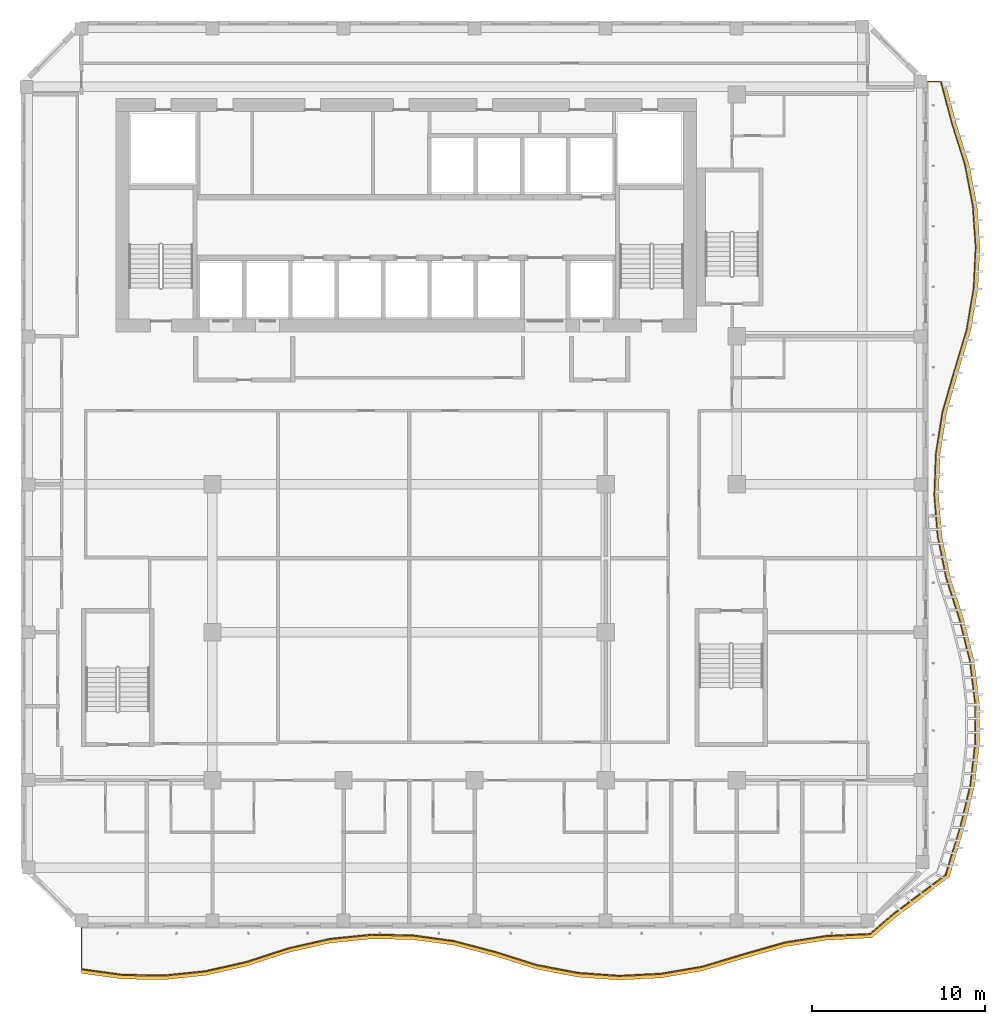
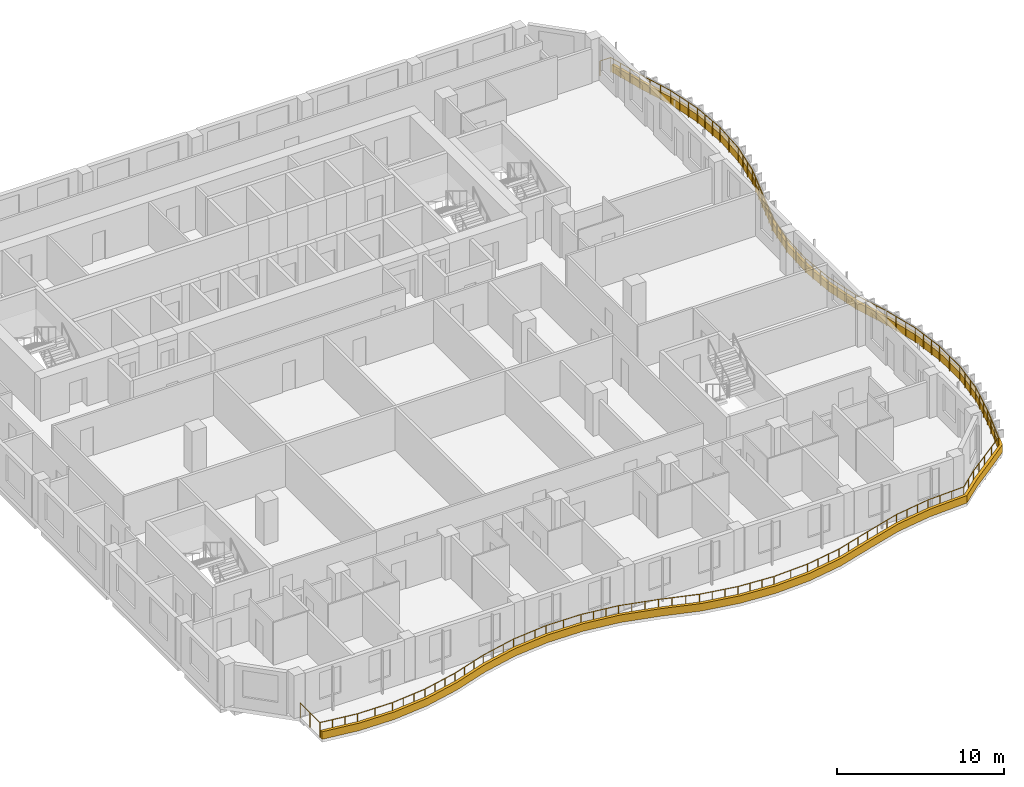
# One storey, part 16 of 21: 1 railing, 1 shading device.
"""IFC4 building model written with IfcOpenShell, lengths in metres."""

from ifc_helpers import new_model, si_unit, direction, frame, origin, origin_2d, place, context, subcontext, project, spatial, polyline, circle, outline, extrude, source, transform, mapped, material, layer, layer_set, type_object, element, save


model = new_model("IFC4")

# Units and contexts
model_context = context("Model", 3, precision=1e-05, world=origin(), true_north=direction((0.0, 1.0)))
body_context = subcontext(model_context, "Body", "Model", "MODEL_VIEW")
ifc_project = project(units=[si_unit("LENGTHUNIT", "METRE"), si_unit("AREAUNIT", "SQUARE_METRE"), si_unit("VOLUMEUNIT", "CUBIC_METRE"), si_unit("PLANEANGLEUNIT", "RADIAN"), si_unit("MASSUNIT", "GRAM", prefix="KILO")], contexts=[model_context])

# Site, building, storey
site_placement = place(None, origin())
site = spatial("IfcSite", under=ifc_project, at=site_placement, CompositionType="ELEMENT")
building_placement = place(site_placement, origin())
building = spatial("IfcBuilding", under=site, at=building_placement, Name="Kilnfold Tower and Market Hall", CompositionType="ELEMENT")
storey_placement = place(building_placement, frame((0.0, 0.0, 216.89990234375)))
storey = spatial("IfcBuildingStorey", under=building, at=storey_placement, Name="L53", CompositionType="ELEMENT", Elevation=216.89990234375)

# Railing
ifc_material_1 = material(Name="Stainless steel and laminated glass", Category="steel")
railing_type = type_object("IfcRailingType", Name="GUARD 1100", PredefinedType="GUARDRAIL", material=ifc_material_1)
railing_placement = place(storey_placement, frame((-17.75, -26.25, 0.0)))
element("IfcRailing", 1, at=railing_placement, inside=storey, type_object=railing_type, Name="Guard balcony L53", PredefinedType="GUARDRAIL", context=body_context, shape_type="SweptSolid", body=[
    extrude(circle(Radius=0.02490234375, at=origin_2d()), frame((0.0, 0.0, 1.0751953125), z_axis=(0.0, -1.0, 0.0), x_axis=(1.0, 0.0, 0.0)), (0.0, 0.0, 1.0), 2.3662109375),
    extrude(circle(Radius=0.02490234375, at=origin_2d()), frame((0.0, -2.3662109375, 1.0751953125), z_axis=(0.990851669737, -0.134955431825, 0.0), x_axis=(0.134955431825, 0.990851669737, 0.0)), (0.0, 0.0, 1.0), 2.4169921875),
    extrude(circle(Radius=0.02490234375, at=origin_2d()), frame((2.394775390625, -2.6923828125, 1.0751953125), z_axis=(0.999868650262, -0.016207474298, 0.0), x_axis=(0.016207474298, 0.999868650262, 0.0)), (0.0, 0.0, 1.0), 2.39501953125),
    extrude(circle(Radius=0.02490234375, at=origin_2d()), frame((4.78955078125, -2.731201171875, 1.0751953125), z_axis=(0.994687855772, 0.102937211828, 0.0), x_axis=(-0.102937211828, 0.994687855772, 0.0)), (0.0, 0.0, 1.0), 2.4072265625),
    extrude(circle(Radius=0.02490234375, at=origin_2d()), frame((7.18408203125, -2.4833984375, 1.0751953125), z_axis=(0.97511820574, 0.221685553961, 0.0), x_axis=(-0.221685553961, 0.97511820574, 0.0)), (0.0, 0.0, 1.0), 2.455810546875),
    extrude(circle(Radius=0.02490234375, at=origin_2d()), frame((9.578857421875, -1.93896484375, 1.0751953125), z_axis=(0.950660885118, 0.310231980147, 0.0), x_axis=(-0.310231980147, 0.950660885118, 0.0)), (0.0, 0.0, 1.0), 2.51904296875),
    extrude(circle(Radius=0.02490234375, at=origin_2d()), frame((11.9736328125, -1.157470703125, 1.0751953125), z_axis=(0.975246995053, 0.221118291059, 0.0), x_axis=(-0.221118291059, 0.975246995053, 0.0)), (0.0, 0.0, 1.0), 2.45556640625),
    extrude(circle(Radius=0.02490234375, at=origin_2d()), frame((14.368408203125, -0.614501953125, 1.0751953125), z_axis=(0.994761361098, 0.102224431847, 0.0), x_axis=(-0.102224431847, 0.994761361098, 0.0)), (0.0, 0.0, 1.0), 2.407470703125),
    extrude(circle(Radius=0.02490234375, at=origin_2d()), frame((16.76318359375, -0.368408203125, 1.0751953125), z_axis=(0.999860261141, -0.016717003041, 0.0), x_axis=(0.016717003041, 0.999860261141, 0.0)), (0.0, 0.0, 1.0), 2.39501953125),
    extrude(circle(Radius=0.02490234375, at=origin_2d()), frame((19.157958984375, -0.408447265625, 1.0751953125), z_axis=(0.990755022551, -0.135663131656, 0.0), x_axis=(0.135663131656, 0.990755022551, 0.0)), (0.0, 0.0, 1.0), 2.4169921875),
    extrude(circle(Radius=0.02490234375, at=origin_2d()), frame((21.552490234375, -0.736328125, 1.0751953125), z_axis=(0.967040051988, -0.254624307267, 0.0), x_axis=(0.254624307267, 0.967040051988, 0.0)), (0.0, 0.0, 1.0), 2.4765625),
    extrude(circle(Radius=0.02490234375, at=origin_2d()), frame((23.947509765625, -1.366943359375, 1.0751953125), z_axis=(0.953562091819, -0.301196509019, 0.0), x_axis=(0.301196509019, 0.953562091819, 0.0)), (0.0, 0.0, 1.0), 2.51123046875),
    extrude(circle(Radius=0.02490234375, at=origin_2d()), frame((26.342041015625, -2.123291015625, 1.0751953125), z_axis=(0.98210557725, -0.188331184709, 0.0), x_axis=(0.188331184709, 0.98210557725, 0.0)), (0.0, 0.0, 1.0), 2.4384765625),
    extrude(circle(Radius=0.02490234375, at=origin_2d()), frame((28.73681640625, -2.58251953125, 1.0751953125), z_axis=(0.997591657875, -0.06936053733, 0.0), x_axis=(0.06936053733, 0.997591657875, 0.0)), (0.0, 0.0, 1.0), 2.400634765625),
    extrude(circle(Radius=0.02490234375, at=origin_2d()), frame((31.131591796875, -2.7490234375, 1.0751953125), z_axis=(0.998769797863, 0.049587204767, 0.0), x_axis=(-0.049587204767, 0.998769797863, 0.0)), (0.0, 0.0, 1.0), 2.397705078125),
    extrude(circle(Radius=0.02490234375, at=origin_2d()), frame((33.5263671875, -2.630126953125, 1.0751953125), z_axis=(0.985698179357, 0.168520322845, 0.0), x_axis=(-0.168520322845, 0.985698179357, 0.0)), (0.0, 0.0, 1.0), 2.429443359375),
    extrude(circle(Radius=0.02490234375, at=origin_2d()), frame((35.921142578125, -2.220703125, 1.0751953125), z_axis=(0.957898824058, 0.287105978462, 0.0), x_axis=(-0.287105978462, 0.957898824058, 0.0)), (0.0, 0.0, 1.0), 2.5),
    extrude(circle(Radius=0.02490234375, at=origin_2d()), frame((38.31591796875, -1.5029296875, 1.0751953125), z_axis=(0.961608995727, 0.274423284976, 0.0), x_axis=(-0.274423284976, 0.961608995727, 0.0)), (0.0, 0.0, 1.0), 2.490234375),
    extrude(circle(Radius=0.02490234375, at=origin_2d()), frame((40.71044921875, -0.819580078125, 1.0751953125), z_axis=(0.987852622881, 0.155393678979, 0.0), x_axis=(-0.155393678979, 0.987852622881, 0.0)), (0.0, 0.0, 1.0), 2.42431640625),
    extrude(circle(Radius=0.02490234375, at=origin_2d()), frame((43.105224609375, -0.44287109375, 1.0751953125), z_axis=(0.998973699983, 0.045294003376, 0.0), x_axis=(-0.045294003376, 0.998973699983, 0.0)), (0.0, 0.0, 1.0), 2.533447265625),
    extrude(circle(Radius=0.02490234375, at=origin_2d()), frame((45.635986328125, -0.328125, 1.0751953125), z_axis=(0.757579649676, 0.652742732167, 0.0), x_axis=(-0.652742732167, 0.757579649676, 0.0)), (0.0, 0.0, 1.0), 1.790771484375),
    extrude(circle(Radius=0.02490234375, at=origin_2d()), frame((46.99267578125, 0.8408203125, 1.0751953125), z_axis=(0.802557595232, 0.596574644395, 0.0), x_axis=(-0.596574644395, 0.802557595232, 0.0)), (0.0, 0.0, 1.0), 1.667724609375),
    extrude(circle(Radius=0.02490234375, at=origin_2d()), frame((48.3310546875, 1.835693359375, 1.0751953125), z_axis=(0.802140782437, 0.597134963933, 0.0), x_axis=(-0.597134963933, 0.802140782437, 0.0)), (0.0, 0.0, 1.0), 2.0888671875),
    extrude(circle(Radius=0.02490234375, at=origin_2d()), frame((50.006591796875, 3.0830078125, 1.0751953125), z_axis=(0.29289551406, 0.956144454486, 0.0), x_axis=(-0.956144454486, 0.29289551406, 0.0)), (0.0, 0.0, 1.0), 2.940673828125),
    extrude(circle(Radius=0.02490234375, at=origin_2d()), frame((50.867919921875, 5.894775390625, 1.0751953125), z_axis=(0.233545410413, 0.972345895901, 0.0), x_axis=(-0.972345895901, 0.233545410413, 0.0)), (0.0, 0.0, 1.0), 2.462890625),
    extrude(circle(Radius=0.02490234375, at=origin_2d()), frame((51.443115234375, 8.28955078125, 1.0751953125), z_axis=(0.114654863149, 0.993405386716, 0.0), x_axis=(-0.993405386716, 0.114654863149, 0.0)), (0.0, 0.0, 1.0), 2.410400390625),
    extrude(circle(Radius=0.02490234375, at=origin_2d()), frame((51.719482421875, 10.68408203125, 1.0751953125), z_axis=(-0.004383687108, 0.999990391598, 0.0), x_axis=(-0.999990391598, -0.004383687108, 0.0)), (0.0, 0.0, 1.0), 2.394775390625),
    extrude(circle(Radius=0.02490234375, at=origin_2d()), frame((51.708984375, 13.078857421875, 1.0751953125), z_axis=(-0.123225331545, 0.992378716854, 0.0), x_axis=(-0.992378716854, -0.123225331545, 0.0)), (0.0, 0.0, 1.0), 2.4130859375),
    extrude(circle(Radius=0.02490234375, at=origin_2d()), frame((51.41162109375, 15.4736328125, 1.0751953125), z_axis=(-0.242139951351, 0.970241332844, 0.0), x_axis=(-0.970241332844, -0.242139951351, 0.0)), (0.0, 0.0, 1.0), 2.46826171875),
    extrude(circle(Radius=0.02490234375, at=origin_2d()), frame((50.81396484375, 17.868408203125, 1.0751953125), z_axis=(-0.306722092647, 0.951799116349, 0.0), x_axis=(-0.951799116349, -0.306722092647, 0.0)), (0.0, 0.0, 1.0), 2.51611328125),
    extrude(circle(Radius=0.02490234375, at=origin_2d()), frame((50.042236328125, 20.26318359375, 1.0751953125), z_axis=(-0.200742631259, 0.979644014934, 0.0), x_axis=(-0.979644014934, -0.200742631259, 0.0)), (0.0, 0.0, 1.0), 2.444580078125),
    extrude(circle(Radius=0.02490234375, at=origin_2d()), frame((49.551513671875, 22.657958984375, 1.0751953125), z_axis=(-0.08180079557, 0.996648699314, 0.0), x_axis=(-0.996648699314, -0.08180079557, 0.0)), (0.0, 0.0, 1.0), 2.402587890625),
    extrude(circle(Radius=0.02490234375, at=origin_2d()), frame((49.35498046875, 25.052490234375, 1.0751953125), z_axis=(0.037181204596, 0.999308539954, 0.0), x_axis=(-0.999308539954, 0.037181204596, 0.0)), (0.0, 0.0, 1.0), 2.396728515625),
    extrude(circle(Radius=0.02490234375, at=origin_2d()), frame((49.444091796875, 27.447509765625, 1.0751953125), z_axis=(0.156097030499, 0.987741725893, 0.0), x_axis=(-0.987741725893, 0.156097030499, 0.0)), (0.0, 0.0, 1.0), 2.42431640625),
    extrude(circle(Radius=0.02490234375, at=origin_2d()), frame((49.822509765625, 29.842041015625, 1.0751953125), z_axis=(0.275031804549, 0.96143512859, 0.0), x_axis=(-0.96143512859, 0.275031804549, 0.0)), (0.0, 0.0, 1.0), 2.49072265625),
    extrude(circle(Radius=0.02490234375, at=origin_2d()), frame((50.507568359375, 32.23681640625, 1.0751953125), z_axis=(0.28647855609, 0.958086654171, 0.0), x_axis=(-0.958086654171, 0.28647855609, 0.0)), (0.0, 0.0, 1.0), 2.49951171875),
    extrude(circle(Radius=0.02490234375, at=origin_2d()), frame((51.2236328125, 34.631591796875, 1.0751953125), z_axis=(0.167934421497, 0.985798169037, 0.0), x_axis=(-0.985798169037, 0.167934421497, 0.0)), (0.0, 0.0, 1.0), 2.42919921875),
    extrude(circle(Radius=0.02490234375, at=origin_2d()), frame((51.631591796875, 37.0263671875, 1.0751953125), z_axis=(0.048876167402, 0.998804845933, 0.0), x_axis=(-0.998804845933, 0.048876167402, 0.0)), (0.0, 0.0, 1.0), 2.397705078125),
    extrude(circle(Radius=0.02490234375, at=origin_2d()), frame((51.748779296875, 39.421142578125, 1.0751953125), z_axis=(-0.069967773022, 0.997549252287, 0.0), x_axis=(-0.997549252287, -0.069967773022, 0.0)), (0.0, 0.0, 1.0), 2.400634765625),
    extrude(circle(Radius=0.02490234375, at=origin_2d()), frame((51.580810546875, 41.81591796875, 1.0751953125), z_axis=(-0.188929089777, 0.981990732663, 0.0), x_axis=(-0.981990732663, -0.188929089777, 0.0)), (0.0, 0.0, 1.0), 2.4384765625),
    extrude(circle(Radius=0.02490234375, at=origin_2d()), frame((51.1201171875, 44.21044921875, 1.0751953125), z_axis=(-0.301522111337, 0.953459184431, 0.0), x_axis=(-0.953459184431, -0.301522111337, 0.0)), (0.0, 0.0, 1.0), 2.51171875),
    extrude(circle(Radius=0.02490234375, at=origin_2d()), frame((50.36279296875, 46.605224609375, 1.0751953125), z_axis=(-0.254003058175, 0.967203415233, 0.0), x_axis=(-0.967203415233, -0.254003058175, 0.0)), (0.0, 0.0, 1.0), 2.47607421875),
    extrude(circle(Radius=0.02490234375, at=origin_2d()), frame((49.73388671875, 49.0, 1.0751953125), z_axis=(-1.0, 0.0, 0.0), x_axis=(0.0, -1.0, 0.0)), (0.0, 0.0, 1.0), 0.73388671875),
    extrude(circle(Radius=0.02490234375, at=origin_2d()), origin(), (0.0, 0.0, 1.0), 1.050048828125),
    extrude(circle(Radius=0.02490234375, at=origin_2d()), frame((0.0, -1.18310546875, 0.0)), (0.0, 0.0, 1.0), 1.050048828125),
    extrude(circle(Radius=0.02490234375, at=origin_2d()), frame((0.0, -2.3662109375, 0.0)), (0.0, 0.0, 1.0), 1.050048828125),
    extrude(circle(Radius=0.02490234375, at=origin_2d()), frame((0.79833984375, -2.474853515625, 0.0)), (0.0, 0.0, 1.0), 1.050048828125),
    extrude(circle(Radius=0.02490234375, at=origin_2d()), frame((1.596435546875, -2.583740234375, 0.0)), (0.0, 0.0, 1.0), 1.050048828125),
    extrude(circle(Radius=0.02490234375, at=origin_2d()), frame((2.394775390625, -2.6923828125, 0.0)), (0.0, 0.0, 1.0), 1.050048828125),
    extrude(circle(Radius=0.02490234375, at=origin_2d()), frame((3.59228515625, -2.7119140625, 0.0)), (0.0, 0.0, 1.0), 1.050048828125),
    extrude(circle(Radius=0.02490234375, at=origin_2d()), frame((4.78955078125, -2.731201171875, 0.0)), (0.0, 0.0, 1.0), 1.050048828125),
    extrude(circle(Radius=0.02490234375, at=origin_2d()), frame((5.587646484375, -2.648681640625, 0.0)), (0.0, 0.0, 1.0), 1.050048828125),
    extrude(circle(Radius=0.02490234375, at=origin_2d()), frame((6.385986328125, -2.56591796875, 0.0)), (0.0, 0.0, 1.0), 1.050048828125),
    extrude(circle(Radius=0.02490234375, at=origin_2d()), frame((7.18408203125, -2.4833984375, 0.0)), (0.0, 0.0, 1.0), 1.050048828125),
    extrude(circle(Radius=0.02490234375, at=origin_2d()), frame((7.982421875, -2.302001953125, 0.0)), (0.0, 0.0, 1.0), 1.050048828125),
    extrude(circle(Radius=0.02490234375, at=origin_2d()), frame((8.780517578125, -2.120361328125, 0.0)), (0.0, 0.0, 1.0), 1.050048828125),
    extrude(circle(Radius=0.02490234375, at=origin_2d()), frame((9.578857421875, -1.93896484375, 0.0)), (0.0, 0.0, 1.0), 1.050048828125),
    extrude(circle(Radius=0.02490234375, at=origin_2d()), frame((10.377197265625, -1.678466796875, 0.0)), (0.0, 0.0, 1.0), 1.050048828125),
    extrude(circle(Radius=0.02490234375, at=origin_2d()), frame((11.17529296875, -1.41796875, 0.0)), (0.0, 0.0, 1.0), 1.050048828125),
    extrude(circle(Radius=0.02490234375, at=origin_2d()), frame((11.9736328125, -1.157470703125, 0.0)), (0.0, 0.0, 1.0), 1.050048828125),
    extrude(circle(Radius=0.02490234375, at=origin_2d()), frame((12.77197265625, -0.9765625, 0.0)), (0.0, 0.0, 1.0), 1.050048828125),
    extrude(circle(Radius=0.02490234375, at=origin_2d()), frame((13.570068359375, -0.79541015625, 0.0)), (0.0, 0.0, 1.0), 1.050048828125),
    extrude(circle(Radius=0.02490234375, at=origin_2d()), frame((14.368408203125, -0.614501953125, 0.0)), (0.0, 0.0, 1.0), 1.050048828125),
    extrude(circle(Radius=0.02490234375, at=origin_2d()), frame((15.166748046875, -0.532470703125, 0.0)), (0.0, 0.0, 1.0), 1.050048828125),
    extrude(circle(Radius=0.02490234375, at=origin_2d()), frame((15.96484375, -0.450439453125, 0.0)), (0.0, 0.0, 1.0), 1.050048828125),
    extrude(circle(Radius=0.02490234375, at=origin_2d()), frame((16.76318359375, -0.368408203125, 0.0)), (0.0, 0.0, 1.0), 1.050048828125),
    extrude(circle(Radius=0.02490234375, at=origin_2d()), frame((17.96044921875, -0.388427734375, 0.0)), (0.0, 0.0, 1.0), 1.050048828125),
    extrude(circle(Radius=0.02490234375, at=origin_2d()), frame((19.157958984375, -0.408447265625, 0.0)), (0.0, 0.0, 1.0), 1.050048828125),
    extrude(circle(Radius=0.02490234375, at=origin_2d()), frame((19.9560546875, -0.517822265625, 0.0)), (0.0, 0.0, 1.0), 1.050048828125),
    extrude(circle(Radius=0.02490234375, at=origin_2d()), frame((20.75439453125, -0.626953125, 0.0)), (0.0, 0.0, 1.0), 1.050048828125),
    extrude(circle(Radius=0.02490234375, at=origin_2d()), frame((21.552490234375, -0.736328125, 0.0)), (0.0, 0.0, 1.0), 1.050048828125),
    extrude(circle(Radius=0.02490234375, at=origin_2d()), frame((22.350830078125, -0.946533203125, 0.0)), (0.0, 0.0, 1.0), 1.050048828125),
    extrude(circle(Radius=0.02490234375, at=origin_2d()), frame((23.149169921875, -1.15673828125, 0.0)), (0.0, 0.0, 1.0), 1.050048828125),
    extrude(circle(Radius=0.02490234375, at=origin_2d()), frame((23.947509765625, -1.366943359375, 0.0)), (0.0, 0.0, 1.0), 1.050048828125),
    extrude(circle(Radius=0.02490234375, at=origin_2d()), frame((24.74560546875, -1.619140625, 0.0)), (0.0, 0.0, 1.0), 1.050048828125),
    extrude(circle(Radius=0.02490234375, at=origin_2d()), frame((25.5439453125, -1.87109375, 0.0)), (0.0, 0.0, 1.0), 1.050048828125),
    extrude(circle(Radius=0.02490234375, at=origin_2d()), frame((26.342041015625, -2.123291015625, 0.0)), (0.0, 0.0, 1.0), 1.050048828125),
    extrude(circle(Radius=0.02490234375, at=origin_2d()), frame((27.140380859375, -2.2763671875, 0.0)), (0.0, 0.0, 1.0), 1.050048828125),
    extrude(circle(Radius=0.02490234375, at=origin_2d()), frame((27.9384765625, -2.429443359375, 0.0)), (0.0, 0.0, 1.0), 1.050048828125),
    extrude(circle(Radius=0.02490234375, at=origin_2d()), frame((28.73681640625, -2.58251953125, 0.0)), (0.0, 0.0, 1.0), 1.050048828125),
    extrude(circle(Radius=0.02490234375, at=origin_2d()), frame((29.53515625, -2.637939453125, 0.0)), (0.0, 0.0, 1.0), 1.050048828125),
    extrude(circle(Radius=0.02490234375, at=origin_2d()), frame((30.333251953125, -2.693603515625, 0.0)), (0.0, 0.0, 1.0), 1.050048828125),
    extrude(circle(Radius=0.02490234375, at=origin_2d()), frame((31.131591796875, -2.7490234375, 0.0)), (0.0, 0.0, 1.0), 1.050048828125),
    extrude(circle(Radius=0.02490234375, at=origin_2d()), frame((32.3291015625, -2.689453125, 0.0)), (0.0, 0.0, 1.0), 1.050048828125),
    extrude(circle(Radius=0.02490234375, at=origin_2d()), frame((33.5263671875, -2.630126953125, 0.0)), (0.0, 0.0, 1.0), 1.050048828125),
    extrude(circle(Radius=0.02490234375, at=origin_2d()), frame((34.32470703125, -2.49365234375, 0.0)), (0.0, 0.0, 1.0), 1.050048828125),
    extrude(circle(Radius=0.02490234375, at=origin_2d()), frame((35.122802734375, -2.357177734375, 0.0)), (0.0, 0.0, 1.0), 1.050048828125),
    extrude(circle(Radius=0.02490234375, at=origin_2d()), frame((35.921142578125, -2.220703125, 0.0)), (0.0, 0.0, 1.0), 1.050048828125),
    extrude(circle(Radius=0.02490234375, at=origin_2d()), frame((36.719482421875, -1.9814453125, 0.0)), (0.0, 0.0, 1.0), 1.050048828125),
    extrude(circle(Radius=0.02490234375, at=origin_2d()), frame((37.517578125, -1.7421875, 0.0)), (0.0, 0.0, 1.0), 1.050048828125),
    extrude(circle(Radius=0.02490234375, at=origin_2d()), frame((38.31591796875, -1.5029296875, 0.0)), (0.0, 0.0, 1.0), 1.050048828125),
    extrude(circle(Radius=0.02490234375, at=origin_2d()), frame((39.114013671875, -1.275146484375, 0.0)), (0.0, 0.0, 1.0), 1.050048828125),
    extrude(circle(Radius=0.02490234375, at=origin_2d()), frame((39.912353515625, -1.04736328125, 0.0)), (0.0, 0.0, 1.0), 1.050048828125),
    extrude(circle(Radius=0.02490234375, at=origin_2d()), frame((40.71044921875, -0.819580078125, 0.0)), (0.0, 0.0, 1.0), 1.050048828125),
    extrude(circle(Radius=0.02490234375, at=origin_2d()), frame((41.5087890625, -0.694091796875, 0.0)), (0.0, 0.0, 1.0), 1.050048828125),
    extrude(circle(Radius=0.02490234375, at=origin_2d()), frame((42.306884765625, -0.568359375, 0.0)), (0.0, 0.0, 1.0), 1.050048828125),
    extrude(circle(Radius=0.02490234375, at=origin_2d()), frame((43.105224609375, -0.44287109375, 0.0)), (0.0, 0.0, 1.0), 1.050048828125),
    extrude(circle(Radius=0.02490234375, at=origin_2d()), frame((43.94873046875, -0.404541015625, 0.0)), (0.0, 0.0, 1.0), 1.050048828125),
    extrude(circle(Radius=0.02490234375, at=origin_2d()), frame((44.79248046875, -0.366455078125, 0.0)), (0.0, 0.0, 1.0), 1.050048828125),
    extrude(circle(Radius=0.02490234375, at=origin_2d()), frame((45.635986328125, -0.328125, 0.0)), (0.0, 0.0, 1.0), 1.050048828125),
    extrude(circle(Radius=0.02490234375, at=origin_2d()), frame((46.314453125, 0.25634765625, 0.0)), (0.0, 0.0, 1.0), 1.050048828125),
    extrude(circle(Radius=0.02490234375, at=origin_2d()), frame((46.99267578125, 0.8408203125, 0.0)), (0.0, 0.0, 1.0), 1.050048828125),
    extrude(circle(Radius=0.02490234375, at=origin_2d()), frame((47.661865234375, 1.33837890625, 0.0)), (0.0, 0.0, 1.0), 1.050048828125),
    extrude(circle(Radius=0.02490234375, at=origin_2d()), frame((48.3310546875, 1.835693359375, 0.0)), (0.0, 0.0, 1.0), 1.050048828125),
    extrude(circle(Radius=0.02490234375, at=origin_2d()), frame((49.1689453125, 2.45947265625, 0.0)), (0.0, 0.0, 1.0), 1.050048828125),
    extrude(circle(Radius=0.02490234375, at=origin_2d()), frame((50.006591796875, 3.0830078125, 0.0)), (0.0, 0.0, 1.0), 1.050048828125),
    extrude(circle(Radius=0.02490234375, at=origin_2d()), frame((50.293701171875, 4.020263671875, 0.0)), (0.0, 0.0, 1.0), 1.050048828125),
    extrude(circle(Radius=0.02490234375, at=origin_2d()), frame((50.580810546875, 4.95751953125, 0.0)), (0.0, 0.0, 1.0), 1.050048828125),
    extrude(circle(Radius=0.02490234375, at=origin_2d()), frame((50.867919921875, 5.894775390625, 0.0)), (0.0, 0.0, 1.0), 1.050048828125),
    extrude(circle(Radius=0.02490234375, at=origin_2d()), frame((51.0595703125, 6.693115234375, 0.0)), (0.0, 0.0, 1.0), 1.050048828125),
    extrude(circle(Radius=0.02490234375, at=origin_2d()), frame((51.25146484375, 7.4912109375, 0.0)), (0.0, 0.0, 1.0), 1.050048828125),
    extrude(circle(Radius=0.02490234375, at=origin_2d()), frame((51.443115234375, 8.28955078125, 0.0)), (0.0, 0.0, 1.0), 1.050048828125),
    extrude(circle(Radius=0.02490234375, at=origin_2d()), frame((51.53515625, 9.087646484375, 0.0)), (0.0, 0.0, 1.0), 1.050048828125),
    extrude(circle(Radius=0.02490234375, at=origin_2d()), frame((51.62744140625, 9.885986328125, 0.0)), (0.0, 0.0, 1.0), 1.050048828125),
    extrude(circle(Radius=0.02490234375, at=origin_2d()), frame((51.719482421875, 10.68408203125, 0.0)), (0.0, 0.0, 1.0), 1.050048828125),
    extrude(circle(Radius=0.02490234375, at=origin_2d()), frame((51.71435546875, 11.88134765625, 0.0)), (0.0, 0.0, 1.0), 1.050048828125),
    extrude(circle(Radius=0.02490234375, at=origin_2d()), frame((51.708984375, 13.078857421875, 0.0)), (0.0, 0.0, 1.0), 1.050048828125),
    extrude(circle(Radius=0.02490234375, at=origin_2d()), frame((51.60986328125, 13.877197265625, 0.0)), (0.0, 0.0, 1.0), 1.050048828125),
    extrude(circle(Radius=0.02490234375, at=origin_2d()), frame((51.5107421875, 14.67529296875, 0.0)), (0.0, 0.0, 1.0), 1.050048828125),
    extrude(circle(Radius=0.02490234375, at=origin_2d()), frame((51.41162109375, 15.4736328125, 0.0)), (0.0, 0.0, 1.0), 1.050048828125),
    extrude(circle(Radius=0.02490234375, at=origin_2d()), frame((51.21240234375, 16.27197265625, 0.0)), (0.0, 0.0, 1.0), 1.050048828125),
    extrude(circle(Radius=0.02490234375, at=origin_2d()), frame((51.01318359375, 17.070068359375, 0.0)), (0.0, 0.0, 1.0), 1.050048828125),
    extrude(circle(Radius=0.02490234375, at=origin_2d()), frame((50.81396484375, 17.868408203125, 0.0)), (0.0, 0.0, 1.0), 1.050048828125),
    extrude(circle(Radius=0.02490234375, at=origin_2d()), frame((50.556640625, 18.666748046875, 0.0)), (0.0, 0.0, 1.0), 1.050048828125),
    extrude(circle(Radius=0.02490234375, at=origin_2d()), frame((50.299560546875, 19.46484375, 0.0)), (0.0, 0.0, 1.0), 1.050048828125),
    extrude(circle(Radius=0.02490234375, at=origin_2d()), frame((50.042236328125, 20.26318359375, 0.0)), (0.0, 0.0, 1.0), 1.050048828125),
    extrude(circle(Radius=0.02490234375, at=origin_2d()), frame((49.878662109375, 21.0615234375, 0.0)), (0.0, 0.0, 1.0), 1.050048828125),
    extrude(circle(Radius=0.02490234375, at=origin_2d()), frame((49.715087890625, 21.859619140625, 0.0)), (0.0, 0.0, 1.0), 1.050048828125),
    extrude(circle(Radius=0.02490234375, at=origin_2d()), frame((49.551513671875, 22.657958984375, 0.0)), (0.0, 0.0, 1.0), 1.050048828125),
    extrude(circle(Radius=0.02490234375, at=origin_2d()), frame((49.486083984375, 23.4560546875, 0.0)), (0.0, 0.0, 1.0), 1.050048828125),
    extrude(circle(Radius=0.02490234375, at=origin_2d()), frame((49.42041015625, 24.25439453125, 0.0)), (0.0, 0.0, 1.0), 1.050048828125),
    extrude(circle(Radius=0.02490234375, at=origin_2d()), frame((49.35498046875, 25.052490234375, 0.0)), (0.0, 0.0, 1.0), 1.050048828125),
    extrude(circle(Radius=0.02490234375, at=origin_2d()), frame((49.3994140625, 26.25, 0.0)), (0.0, 0.0, 1.0), 1.050048828125),
    extrude(circle(Radius=0.02490234375, at=origin_2d()), frame((49.444091796875, 27.447509765625, 0.0)), (0.0, 0.0, 1.0), 1.050048828125),
    extrude(circle(Radius=0.02490234375, at=origin_2d()), frame((49.5703125, 28.24560546875, 0.0)), (0.0, 0.0, 1.0), 1.050048828125),
    extrude(circle(Radius=0.02490234375, at=origin_2d()), frame((49.6962890625, 29.0439453125, 0.0)), (0.0, 0.0, 1.0), 1.050048828125),
    extrude(circle(Radius=0.02490234375, at=origin_2d()), frame((49.822509765625, 29.842041015625, 0.0)), (0.0, 0.0, 1.0), 1.050048828125),
    extrude(circle(Radius=0.02490234375, at=origin_2d()), frame((50.05078125, 30.640380859375, 0.0)), (0.0, 0.0, 1.0), 1.050048828125),
    extrude(circle(Radius=0.02490234375, at=origin_2d()), frame((50.279296875, 31.4384765625, 0.0)), (0.0, 0.0, 1.0), 1.050048828125),
    extrude(circle(Radius=0.02490234375, at=origin_2d()), frame((50.507568359375, 32.23681640625, 0.0)), (0.0, 0.0, 1.0), 1.050048828125),
    extrude(circle(Radius=0.02490234375, at=origin_2d()), frame((50.746337890625, 33.03515625, 0.0)), (0.0, 0.0, 1.0), 1.050048828125),
    extrude(circle(Radius=0.02490234375, at=origin_2d()), frame((50.98486328125, 33.833251953125, 0.0)), (0.0, 0.0, 1.0), 1.050048828125),
    extrude(circle(Radius=0.02490234375, at=origin_2d()), frame((51.2236328125, 34.631591796875, 0.0)), (0.0, 0.0, 1.0), 1.050048828125),
    extrude(circle(Radius=0.02490234375, at=origin_2d()), frame((51.359619140625, 35.429931640625, 0.0)), (0.0, 0.0, 1.0), 1.050048828125),
    extrude(circle(Radius=0.02490234375, at=origin_2d()), frame((51.49560546875, 36.22802734375, 0.0)), (0.0, 0.0, 1.0), 1.050048828125),
    extrude(circle(Radius=0.02490234375, at=origin_2d()), frame((51.631591796875, 37.0263671875, 0.0)), (0.0, 0.0, 1.0), 1.050048828125),
    extrude(circle(Radius=0.02490234375, at=origin_2d()), frame((51.690185546875, 38.2236328125, 0.0)), (0.0, 0.0, 1.0), 1.050048828125),
    extrude(circle(Radius=0.02490234375, at=origin_2d()), frame((51.748779296875, 39.421142578125, 0.0)), (0.0, 0.0, 1.0), 1.050048828125),
    extrude(circle(Radius=0.02490234375, at=origin_2d()), frame((51.69287109375, 40.219482421875, 0.0)), (0.0, 0.0, 1.0), 1.050048828125),
    extrude(circle(Radius=0.02490234375, at=origin_2d()), frame((51.63671875, 41.017578125, 0.0)), (0.0, 0.0, 1.0), 1.050048828125),
    extrude(circle(Radius=0.02490234375, at=origin_2d()), frame((51.580810546875, 41.81591796875, 0.0)), (0.0, 0.0, 1.0), 1.050048828125),
    extrude(circle(Radius=0.02490234375, at=origin_2d()), frame((51.42724609375, 42.614013671875, 0.0)), (0.0, 0.0, 1.0), 1.050048828125),
    extrude(circle(Radius=0.02490234375, at=origin_2d()), frame((51.273681640625, 43.412353515625, 0.0)), (0.0, 0.0, 1.0), 1.050048828125),
    extrude(circle(Radius=0.02490234375, at=origin_2d()), frame((51.1201171875, 44.21044921875, 0.0)), (0.0, 0.0, 1.0), 1.050048828125),
    extrude(circle(Radius=0.02490234375, at=origin_2d()), frame((50.86767578125, 45.0087890625, 0.0)), (0.0, 0.0, 1.0), 1.050048828125),
    extrude(circle(Radius=0.02490234375, at=origin_2d()), frame((50.615234375, 45.806884765625, 0.0)), (0.0, 0.0, 1.0), 1.050048828125),
    extrude(circle(Radius=0.02490234375, at=origin_2d()), frame((50.36279296875, 46.605224609375, 0.0)), (0.0, 0.0, 1.0), 1.050048828125),
    extrude(circle(Radius=0.02490234375, at=origin_2d()), frame((50.153076171875, 47.403564453125, 0.0)), (0.0, 0.0, 1.0), 1.050048828125),
    extrude(circle(Radius=0.02490234375, at=origin_2d()), frame((49.943603515625, 48.20166015625, 0.0)), (0.0, 0.0, 1.0), 1.050048828125),
    extrude(circle(Radius=0.02490234375, at=origin_2d()), frame((49.73388671875, 49.0, 0.0)), (0.0, 0.0, 1.0), 1.050048828125),
    extrude(circle(Radius=0.02490234375, at=origin_2d()), frame((49.0, 49.0, 0.0)), (0.0, 0.0, 1.0), 1.050048828125),
])

# Shading device
ifc_material_2 = material(Name="Precast concrete C50/60", Category="concrete")
ifc_layer = layer(ifc_material_2, 0.550048828125)
ifc_layer_set = layer_set([ifc_layer], Name="Precast concrete C50/60")
shading_device_type = type_object("IfcShadingDeviceType", Name="BALCONY UPSTAND 550", PredefinedType="USERDEFINED", material=ifc_layer_set)
shared_shape = source(origin(), body_context, "Body", "SweptSolid", [
    extrude(outline(polyline([(-17.75, -28.8662109375), (-15.355224609375, -29.1923828125), (-12.96044921875, -29.231201171875), (-10.56591796875, -28.9833984375), (-8.171142578125, -28.43896484375), (-5.7763671875, -27.657470703125), (-3.381591796875, -27.114501953125), (-0.98681640625, -26.868408203125), (1.407958984375, -26.908447265625), (3.802490234375, -27.236328125), (6.197509765625, -27.866943359375), (8.592041015625, -28.623291015625), (10.98681640625, -29.08251953125), (13.381591796875, -29.2490234375), (15.7763671875, -29.130126953125), (18.171142578125, -28.720703125), (20.56591796875, -28.0029296875), (22.96044921875, -27.319580078125), (25.355224609375, -26.94287109375), (27.981689453125, -26.80908203125), (29.41943359375, -25.5859375), (30.7578125, -24.59130859375), (32.487548828125, -23.2626953125), (33.367919921875, -20.355224609375), (33.943115234375, -17.96044921875), (34.219482421875, -15.56591796875), (34.208984375, -13.171142578125), (33.91162109375, -10.7763671875), (33.31396484375, -8.381591796875), (32.542236328125, -5.98681640625), (32.051513671875, -3.592041015625), (31.85498046875, -1.197509765625), (31.944091796875, 1.197509765625), (32.322509765625, 3.592041015625), (33.007568359375, 5.98681640625), (33.7236328125, 8.381591796875), (34.131591796875, 10.7763671875), (34.248779296875, 13.171142578125), (34.080810546875, 15.56591796875), (33.6201171875, 17.96044921875), (32.86279296875, 20.355224609375), (32.23388671875, 22.75), (32.03369140625, 22.75), (32.66259765625, 20.355224609375), (33.420166015625, 17.96044921875), (33.880859375, 15.56591796875), (34.048828125, 13.171142578125), (33.931396484375, 10.7763671875), (33.523681640625, 8.381591796875), (32.8076171875, 5.98681640625), (32.122314453125, 3.592041015625), (31.743896484375, 1.197509765625), (31.655029296875, -1.197509765625), (31.8515625, -3.592041015625), (32.34228515625, -5.98681640625), (33.114013671875, -8.381591796875), (33.711669921875, -10.7763671875), (34.009033203125, -13.171142578125), (34.019287109375, -15.56591796875), (33.7431640625, -17.96044921875), (33.167724609375, -20.355224609375), (32.302734375, -23.18603515625), (30.616455078125, -24.44970703125), (29.278076171875, -25.444580078125), (27.905029296875, -26.62451171875), (25.355224609375, -26.742919921875), (22.96044921875, -27.11962890625), (20.56591796875, -27.802978515625), (18.171142578125, -28.520751953125), (15.7763671875, -28.93017578125), (13.381591796875, -29.049072265625), (10.98681640625, -28.882568359375), (8.592041015625, -28.42333984375), (6.197509765625, -27.6669921875), (3.802490234375, -27.036376953125), (1.407958984375, -26.70849609375), (-0.98681640625, -26.66845703125), (-3.381591796875, -26.914306640625), (-5.7763671875, -27.45751953125), (-8.171142578125, -28.239013671875), (-10.56591796875, -28.783447265625), (-12.96044921875, -29.031005859375), (-15.355224609375, -28.992431640625), (-17.75, -28.666259765625), (-17.75, -28.8662109375)])), origin(), (0.0, 0.0, 1.0), 0.550048828125),
])
shading_device_placement = place(storey_placement, origin())
element("IfcShadingDevice", 2, at=shading_device_placement, inside=storey, type_object=shading_device_type, Name="Balcony fascia L53", ObjectType="FASCIA", PredefinedType="USERDEFINED", context=body_context, shape_type="MappedRepresentation", body=[
    mapped(shared_shape, transform((0.0, 0.0, 0.0))),
])

save(model, "model.ifc")
